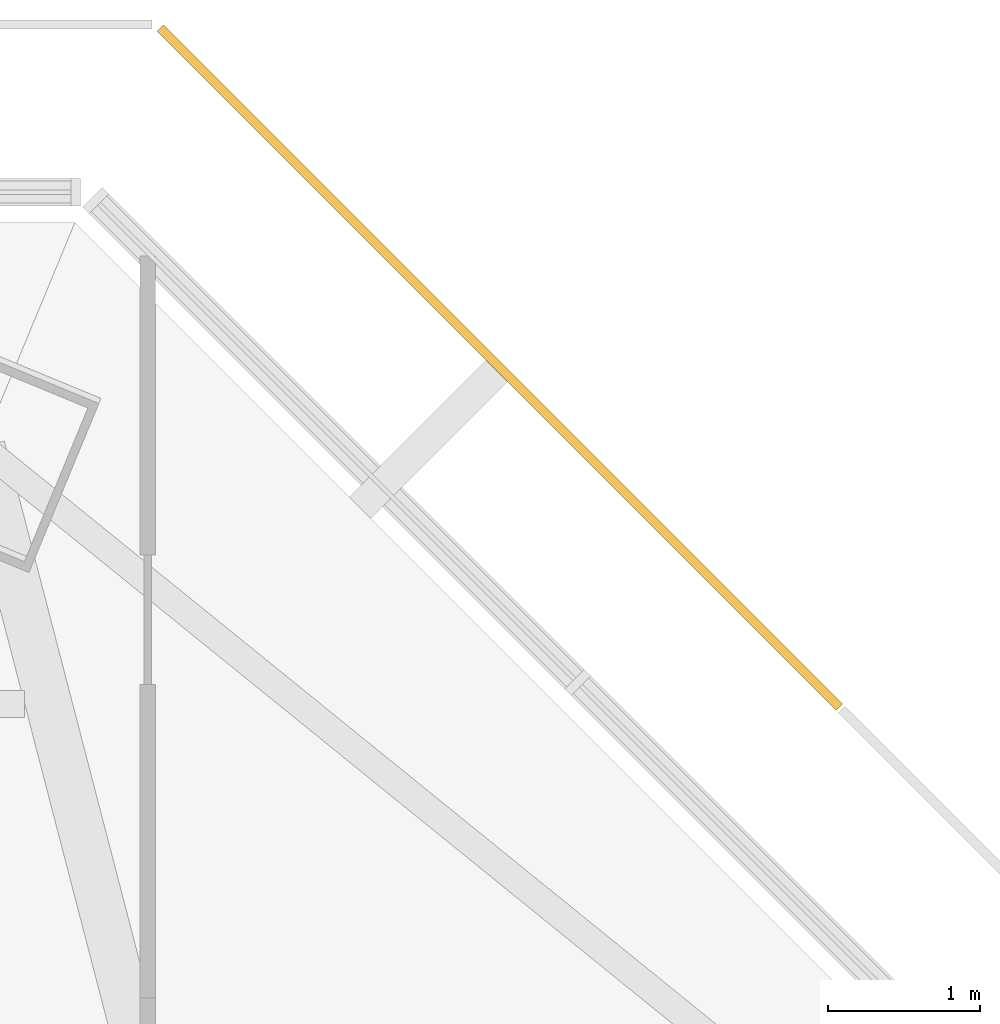
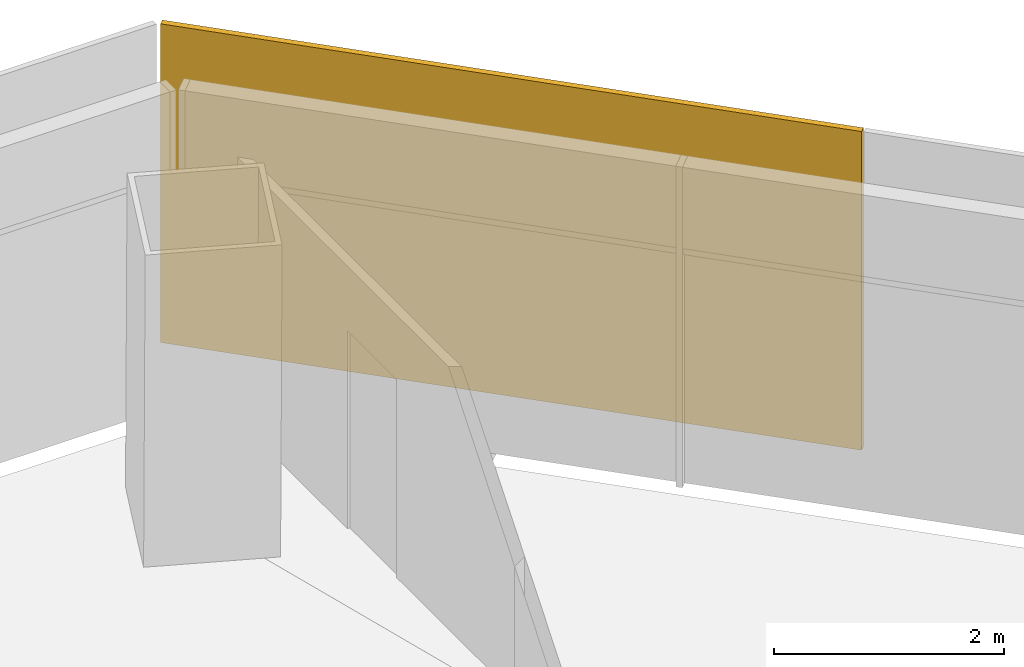
# One storey, part 15 of 16: 1 shading device.
"""IFC4 building model written with IfcOpenShell, lengths in metres."""

from ifc_helpers import new_model, si_unit, direction, frame, origin, origin_2d, place, context, subcontext, project, spatial, rectangle, extrude, source, transform, mapped, material, layer, layer_set, type_object, type_shapes, element, save


model = new_model("IFC4")

# Units and contexts
model_context = context("Model", 3, precision=1e-05, world=origin(), true_north=direction((0.0, 1.0)))
body_context = subcontext(model_context, "Body", "Model", "MODEL_VIEW")
ifc_project = project(units=[si_unit("LENGTHUNIT", "METRE"), si_unit("AREAUNIT", "SQUARE_METRE"), si_unit("VOLUMEUNIT", "CUBIC_METRE"), si_unit("PLANEANGLEUNIT", "RADIAN"), si_unit("MASSUNIT", "GRAM", prefix="KILO")], contexts=[model_context])

# Site, building, storey
site_placement = place(None, origin())
site = spatial("IfcSite", under=ifc_project, at=site_placement, CompositionType="ELEMENT")
building_placement = place(site_placement, origin())
building = spatial("IfcBuilding", under=site, at=building_placement, Name="Mashrafa Tower", CompositionType="ELEMENT")
storey_placement = place(building_placement, frame((0.0, 0.0, 217.60009765625)))
storey = spatial("IfcBuildingStorey", under=building, at=storey_placement, Name="L50", CompositionType="ELEMENT", Elevation=217.60009765625)

# Shading device
ifc_material = material(Name="Perforated aluminium plate, eight-point star pattern", Category="aluminium")
ifc_layer = layer(ifc_material, 0.06005859375)
ifc_layer_set = layer_set([ifc_layer], Name="Mashrabiya screen panel apartment zone 3, 28 percent open")
shading_device_type = type_object("IfcShadingDeviceType", Name="Mashrabiya screen panel apartment zone 3, 28 percent open", PredefinedType="SHUTTER", material=ifc_layer_set)
shared_shape = source(origin(), body_context, "Body", "SweptSolid", [
    extrude(rectangle(XDim=6.304931640625, YDim=0.06005859375, at=origin_2d()), origin(), (0.0, 0.0, 1.0), 3.3798828125),
])
type_shapes(shading_device_type, [shared_shape])
shading_device_placement = place(storey_placement, frame((11.761962890625, 20.70703125, -0.150146484375), z_axis=(0.0, 0.0, 1.0), x_axis=(-0.707106781187, 0.707106781187, 0.0)))
element("IfcShadingDevice", 1, at=shading_device_placement, inside=storey, type_object=shading_device_type, Name="Mashrabiya screen L50 north-east 3", PredefinedType="SHUTTER", context=body_context, shape_type="MappedRepresentation", body=[
    mapped(shared_shape, transform((0.0, 0.0, 0.0))),
])

save(model, "model.ifc")
